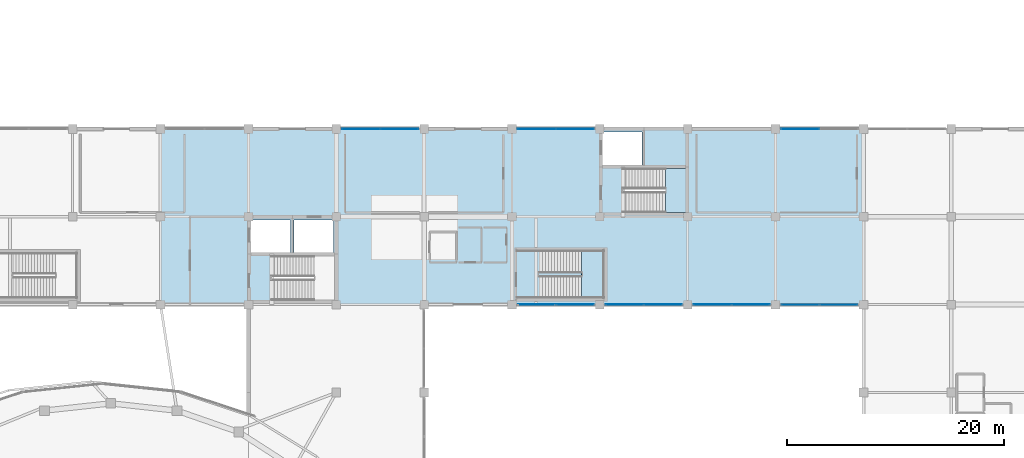
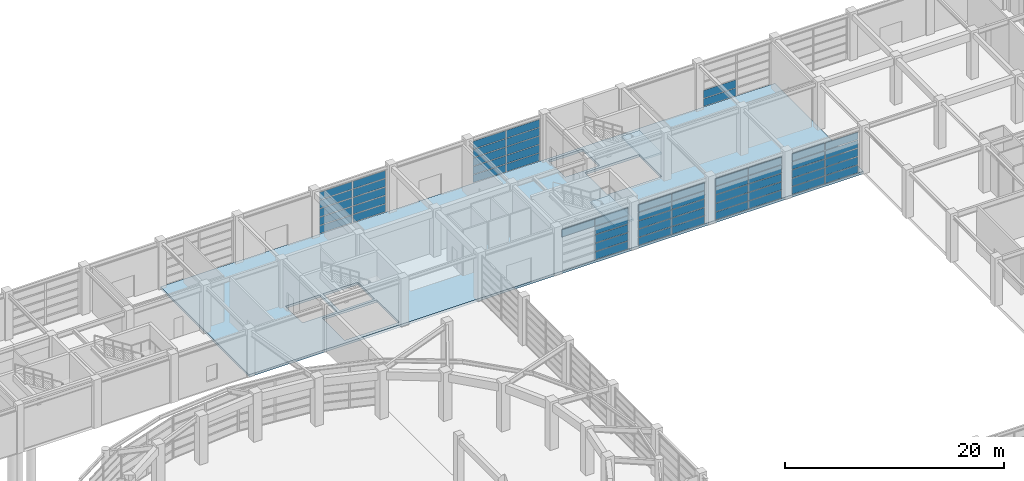
# One storey, part 33 of 52: 58 plates, 3 slabs, 9 elements without a shape of their own.
"""IFC4 building model written with IfcOpenShell, lengths in metres."""

from ifc_helpers import new_model, si_unit, direction, frame, origin, origin_2d, place, context, subcontext, project, spatial, polyline, rectangle, outline, extrude, material, layer, layer_set, type_object, element, aggregate, save


model = new_model("IFC4")

# Units and contexts
model_context = context("Model", 3, precision=1e-05, world=origin(), true_north=direction((0.0, 1.0)))
body_context = subcontext(model_context, "Body", "Model", "MODEL_VIEW")
ifc_project = project(units=[si_unit("LENGTHUNIT", "METRE"), si_unit("AREAUNIT", "SQUARE_METRE"), si_unit("VOLUMEUNIT", "CUBIC_METRE"), si_unit("PLANEANGLEUNIT", "RADIAN"), si_unit("MASSUNIT", "GRAM", prefix="KILO")], contexts=[model_context])

# Site, building, storey
site_placement = place(None, origin())
site = spatial("IfcSite", under=ifc_project, at=site_placement, CompositionType="ELEMENT")
building_placement = place(site_placement, origin())
building = spatial("IfcBuilding", under=site, at=building_placement, Name="Parian Resonance Hall", CompositionType="ELEMENT")
storey_placement = place(building_placement, origin())
storey = spatial("IfcBuildingStorey", under=building, at=storey_placement, Name="L00", CompositionType="ELEMENT", Elevation=0.0)

# Curtain wall, plates
ifc_material_1 = material(Name="Bronze-anodised aluminium frame", Category="aluminium")
curtain_wall_type_1 = type_object("IfcCurtainWallType", Name="CW-SYS-03", PredefinedType="NOTDEFINED", material=ifc_material_1)
curtain_wall_1_placement = place(storey_placement, origin())
curtain_wall_1 = element("IfcCurtainWall", 1, at=curtain_wall_1_placement, inside=storey, type_object=curtain_wall_type_1, Name="Curtain wall CW-L00-090", PredefinedType="NOTDEFINED")
ifc_material_2 = material(Name="Acoustic laminated double glazing", Category="glass")
ifc_layer_1 = layer(ifc_material_2, 0.02197265625)
ifc_layer_set_1 = layer_set([ifc_layer_1], Name="Acoustic laminated double glazing")
plate_type_1 = type_object("IfcPlateType", Name="CWP-IGU22", PredefinedType="CURTAIN_PANEL", material=ifc_layer_set_1)
plate_1_placement = place(storey_placement, frame((67.083740234375, 89.10009765625, 0.067138671875), z_axis=(0.0, 0.0, 1.0), x_axis=(1.0, 0.0, 0.0)))
plate_1 = element("IfcPlate", 2, at=plate_1_placement, type_object=plate_type_1, Name="CW-03 panel 1.1", PredefinedType="CURTAIN_PANEL", context=body_context, shape_type="SweptSolid", body=[
    extrude(rectangle(XDim=3.45751953125, YDim=0.02197265625, at=origin_2d()), origin(), (0.0, 0.0, 1.0), 0.8408203125),
])
plate_2_placement = place(storey_placement, frame((67.083740234375, 89.10009765625, 0.98291015625), z_axis=(0.0, 0.0, 1.0), x_axis=(1.0, 0.0, 0.0)))
plate_2 = element("IfcPlate", 3, at=plate_2_placement, type_object=plate_type_1, Name="CW-03 panel 1.2", PredefinedType="CURTAIN_PANEL", context=body_context, shape_type="SweptSolid", body=[
    extrude(rectangle(XDim=3.45751953125, YDim=0.02197265625, at=origin_2d()), origin(), (0.0, 0.0, 1.0), 0.870361328125),
])
plate_3_placement = place(storey_placement, frame((67.083740234375, 89.10009765625, 1.92822265625), z_axis=(0.0, 0.0, 1.0), x_axis=(1.0, 0.0, 0.0)))
plate_3 = element("IfcPlate", 4, at=plate_3_placement, type_object=plate_type_1, Name="CW-03 panel 1.3", PredefinedType="CURTAIN_PANEL", context=body_context, shape_type="SweptSolid", body=[
    extrude(rectangle(XDim=3.45751953125, YDim=0.02197265625, at=origin_2d()), origin(), (0.0, 0.0, 1.0), 0.870361328125),
])
plate_4_placement = place(storey_placement, frame((67.083740234375, 89.10009765625, 2.87353515625), z_axis=(0.0, 0.0, 1.0), x_axis=(1.0, 0.0, 0.0)))
plate_4 = element("IfcPlate", 5, at=plate_4_placement, type_object=plate_type_1, Name="CW-03 panel 1.4", PredefinedType="CURTAIN_PANEL", context=body_context, shape_type="SweptSolid", body=[
    extrude(rectangle(XDim=3.45751953125, YDim=0.02197265625, at=origin_2d()), origin(), (0.0, 0.0, 1.0), 0.870361328125),
])
plate_5_placement = place(storey_placement, frame((67.083740234375, 89.10009765625, 3.81884765625), z_axis=(0.0, 0.0, 1.0), x_axis=(1.0, 0.0, 0.0)))
plate_5 = element("IfcPlate", 6, at=plate_5_placement, type_object=plate_type_1, Name="CW-03 panel 1.5", PredefinedType="CURTAIN_PANEL", context=body_context, shape_type="SweptSolid", body=[
    extrude(rectangle(XDim=3.45751953125, YDim=0.02197265625, at=origin_2d()), origin(), (0.0, 0.0, 1.0), 0.843017578125),
])
plate_6_placement = place(storey_placement, frame((70.6162109375, 89.10009765625, 0.067138671875), z_axis=(0.0, 0.0, 1.0), x_axis=(1.0, 0.0, 0.0)))
plate_6 = element("IfcPlate", 7, at=plate_6_placement, type_object=plate_type_1, Name="CW-03 panel 2.1", PredefinedType="CURTAIN_PANEL", context=body_context, shape_type="SweptSolid", body=[
    extrude(rectangle(XDim=3.45751953125, YDim=0.02197265625, at=origin_2d()), origin(), (0.0, 0.0, 1.0), 0.8408203125),
])
plate_7_placement = place(storey_placement, frame((70.6162109375, 89.10009765625, 0.98291015625), z_axis=(0.0, 0.0, 1.0), x_axis=(1.0, 0.0, 0.0)))
plate_7 = element("IfcPlate", 8, at=plate_7_placement, type_object=plate_type_1, Name="CW-03 panel 2.2", PredefinedType="CURTAIN_PANEL", context=body_context, shape_type="SweptSolid", body=[
    extrude(rectangle(XDim=3.45751953125, YDim=0.02197265625, at=origin_2d()), origin(), (0.0, 0.0, 1.0), 0.870361328125),
])
plate_8_placement = place(storey_placement, frame((70.6162109375, 89.10009765625, 1.92822265625), z_axis=(0.0, 0.0, 1.0), x_axis=(1.0, 0.0, 0.0)))
plate_8 = element("IfcPlate", 9, at=plate_8_placement, type_object=plate_type_1, Name="CW-03 panel 2.3", PredefinedType="CURTAIN_PANEL", context=body_context, shape_type="SweptSolid", body=[
    extrude(rectangle(XDim=3.45751953125, YDim=0.02197265625, at=origin_2d()), origin(), (0.0, 0.0, 1.0), 0.870361328125),
])
plate_9_placement = place(storey_placement, frame((70.6162109375, 89.10009765625, 2.87353515625), z_axis=(0.0, 0.0, 1.0), x_axis=(1.0, 0.0, 0.0)))
plate_9 = element("IfcPlate", 10, at=plate_9_placement, type_object=plate_type_1, Name="CW-03 panel 2.4", PredefinedType="CURTAIN_PANEL", context=body_context, shape_type="SweptSolid", body=[
    extrude(rectangle(XDim=3.45751953125, YDim=0.02197265625, at=origin_2d()), origin(), (0.0, 0.0, 1.0), 0.870361328125),
])
plate_10_placement = place(storey_placement, frame((70.6162109375, 89.10009765625, 3.81884765625), z_axis=(0.0, 0.0, 1.0), x_axis=(1.0, 0.0, 0.0)))
plate_10 = element("IfcPlate", 11, at=plate_10_placement, type_object=plate_type_1, Name="CW-03 panel 2.5", PredefinedType="CURTAIN_PANEL", context=body_context, shape_type="SweptSolid", body=[
    extrude(rectangle(XDim=3.45751953125, YDim=0.02197265625, at=origin_2d()), origin(), (0.0, 0.0, 1.0), 0.843017578125),
])
aggregate(curtain_wall_1, [plate_1, plate_2, plate_3, plate_4, plate_5, plate_6, plate_7, plate_8, plate_9, plate_10])

ifc_material_3 = material(Name="Bronze-anodised aluminium frame", Category="aluminium")
curtain_wall_type_2 = type_object("IfcCurtainWallType", Name="CW-SYS-02", PredefinedType="NOTDEFINED", material=ifc_material_3)
curtain_wall_2_placement = place(storey_placement, origin())
curtain_wall_2 = element("IfcCurtainWall", 12, at=curtain_wall_2_placement, inside=storey, type_object=curtain_wall_type_2, Name="Curtain wall CW-L00-126", PredefinedType="NOTDEFINED")
plate_11_placement = place(storey_placement, frame((111.1162109375, 72.89990234375, 0.06689453125), z_axis=(0.0, 0.0, 1.0), x_axis=(-1.0, 0.0, 0.0)))
plate_11 = element("IfcPlate", 13, at=plate_11_placement, type_object=plate_type_1, Name="CW-02 panel 1.1", PredefinedType="CURTAIN_PANEL", context=body_context, shape_type="SweptSolid", body=[
    extrude(rectangle(XDim=3.45751953125, YDim=0.02197265625, at=origin_2d()), origin(), (0.0, 0.0, 1.0), 0.83056640625),
])
plate_12_placement = place(storey_placement, frame((111.1162109375, 72.89990234375, 0.97265625), z_axis=(0.0, 0.0, 1.0), x_axis=(-1.0, 0.0, 0.0)))
plate_12 = element("IfcPlate", 14, at=plate_12_placement, type_object=plate_type_1, Name="CW-02 panel 1.2", PredefinedType="CURTAIN_PANEL", context=body_context, shape_type="SweptSolid", body=[
    extrude(rectangle(XDim=3.45751953125, YDim=0.02197265625, at=origin_2d()), origin(), (0.0, 0.0, 1.0), 0.860107421875),
])
plate_13_placement = place(storey_placement, frame((111.1162109375, 72.89990234375, 1.9072265625), z_axis=(0.0, 0.0, 1.0), x_axis=(-1.0, 0.0, 0.0)))
plate_13 = element("IfcPlate", 15, at=plate_13_placement, type_object=plate_type_1, Name="CW-02 panel 1.3", PredefinedType="CURTAIN_PANEL", context=body_context, shape_type="SweptSolid", body=[
    extrude(rectangle(XDim=3.45751953125, YDim=0.02197265625, at=origin_2d()), origin(), (0.0, 0.0, 1.0), 0.860107421875),
])
plate_14_placement = place(storey_placement, frame((111.1162109375, 72.89990234375, 2.84228515625), z_axis=(0.0, 0.0, 1.0), x_axis=(-1.0, 0.0, 0.0)))
plate_14 = element("IfcPlate", 16, at=plate_14_placement, type_object=plate_type_1, Name="CW-02 panel 1.4", PredefinedType="CURTAIN_PANEL", context=body_context, shape_type="SweptSolid", body=[
    extrude(rectangle(XDim=3.45751953125, YDim=0.02197265625, at=origin_2d()), origin(), (0.0, 0.0, 1.0), 0.860107421875),
])
plate_15_placement = place(storey_placement, frame((111.1162109375, 72.89990234375, 3.777587890625), z_axis=(0.0, 0.0, 1.0), x_axis=(-1.0, 0.0, 0.0)))
plate_15 = element("IfcPlate", 17, at=plate_15_placement, type_object=plate_type_1, Name="CW-02 panel 1.5", PredefinedType="CURTAIN_PANEL", context=body_context, shape_type="SweptSolid", body=[
    extrude(rectangle(XDim=3.45751953125, YDim=0.02197265625, at=origin_2d()), origin(), (0.0, 0.0, 1.0), 0.83251953125),
])
plate_16_placement = place(storey_placement, frame((107.583740234375, 72.89990234375, 0.06689453125), z_axis=(0.0, 0.0, 1.0), x_axis=(-1.0, 0.0, 0.0)))
plate_16 = element("IfcPlate", 18, at=plate_16_placement, type_object=plate_type_1, Name="CW-02 panel 2.1", PredefinedType="CURTAIN_PANEL", context=body_context, shape_type="SweptSolid", body=[
    extrude(rectangle(XDim=3.45751953125, YDim=0.02197265625, at=origin_2d()), origin(), (0.0, 0.0, 1.0), 0.83056640625),
])
plate_17_placement = place(storey_placement, frame((107.583740234375, 72.89990234375, 0.97265625), z_axis=(0.0, 0.0, 1.0), x_axis=(-1.0, 0.0, 0.0)))
plate_17 = element("IfcPlate", 19, at=plate_17_placement, type_object=plate_type_1, Name="CW-02 panel 2.2", PredefinedType="CURTAIN_PANEL", context=body_context, shape_type="SweptSolid", body=[
    extrude(rectangle(XDim=3.45751953125, YDim=0.02197265625, at=origin_2d()), origin(), (0.0, 0.0, 1.0), 0.860107421875),
])
plate_18_placement = place(storey_placement, frame((107.583740234375, 72.89990234375, 1.9072265625), z_axis=(0.0, 0.0, 1.0), x_axis=(-1.0, 0.0, 0.0)))
plate_18 = element("IfcPlate", 20, at=plate_18_placement, type_object=plate_type_1, Name="CW-02 panel 2.3", PredefinedType="CURTAIN_PANEL", context=body_context, shape_type="SweptSolid", body=[
    extrude(rectangle(XDim=3.45751953125, YDim=0.02197265625, at=origin_2d()), origin(), (0.0, 0.0, 1.0), 0.860107421875),
])
plate_19_placement = place(storey_placement, frame((107.583740234375, 72.89990234375, 2.84228515625), z_axis=(0.0, 0.0, 1.0), x_axis=(-1.0, 0.0, 0.0)))
plate_19 = element("IfcPlate", 21, at=plate_19_placement, type_object=plate_type_1, Name="CW-02 panel 2.4", PredefinedType="CURTAIN_PANEL", context=body_context, shape_type="SweptSolid", body=[
    extrude(rectangle(XDim=3.45751953125, YDim=0.02197265625, at=origin_2d()), origin(), (0.0, 0.0, 1.0), 0.860107421875),
])
plate_20_placement = place(storey_placement, frame((107.583740234375, 72.89990234375, 3.777587890625), z_axis=(0.0, 0.0, 1.0), x_axis=(-1.0, 0.0, 0.0)))
plate_20 = element("IfcPlate", 22, at=plate_20_placement, type_object=plate_type_1, Name="CW-02 panel 2.5", PredefinedType="CURTAIN_PANEL", context=body_context, shape_type="SweptSolid", body=[
    extrude(rectangle(XDim=3.45751953125, YDim=0.02197265625, at=origin_2d()), origin(), (0.0, 0.0, 1.0), 0.83251953125),
])
aggregate(curtain_wall_2, [plate_11, plate_12, plate_13, plate_14, plate_15, plate_16, plate_17, plate_18, plate_19, plate_20])

ifc_material_4 = material(Name="Bronze-anodised aluminium frame", Category="aluminium")
curtain_wall_type_3 = type_object("IfcCurtainWallType", Name="CW-SYS-05", PredefinedType="NOTDEFINED", material=ifc_material_4)
curtain_wall_3_placement = place(storey_placement, origin())
curtain_wall_3 = element("IfcCurtainWall", 23, at=curtain_wall_3_placement, inside=storey, type_object=curtain_wall_type_3, Name="Curtain wall CW-L00-097", PredefinedType="NOTDEFINED")
ifc_material_5 = material(Name="Acoustic laminated double glazing", Category="glass")
ifc_layer_2 = layer(ifc_material_5, 0.031982421875)
ifc_layer_set_2 = layer_set([ifc_layer_2], Name="Acoustic laminated double glazing")
plate_type_2 = type_object("IfcPlateType", Name="CWP-IGU32", PredefinedType="CURTAIN_PANEL", material=ifc_layer_set_2)
plate_21_placement = place(storey_placement, frame((83.28125, 89.10009765625, 0.056884765625), z_axis=(0.0, 0.0, 1.0), x_axis=(1.0, 0.0, 0.0)))
plate_21 = element("IfcPlate", 24, at=plate_21_placement, type_object=plate_type_2, Name="CW-05 panel 1.1", PredefinedType="CURTAIN_PANEL", context=body_context, shape_type="SweptSolid", body=[
    extrude(rectangle(XDim=3.472412109375, YDim=0.031982421875, at=origin_2d()), origin(), (0.0, 0.0, 1.0), 0.85595703125),
])
plate_22_placement = place(storey_placement, frame((83.28125, 89.10009765625, 0.97802734375), z_axis=(0.0, 0.0, 1.0), x_axis=(1.0, 0.0, 0.0)))
plate_22 = element("IfcPlate", 25, at=plate_22_placement, type_object=plate_type_2, Name="CW-05 panel 1.2", PredefinedType="CURTAIN_PANEL", context=body_context, shape_type="SweptSolid", body=[
    extrude(rectangle(XDim=3.472412109375, YDim=0.031982421875, at=origin_2d()), origin(), (0.0, 0.0, 1.0), 0.88037109375),
])
plate_23_placement = place(storey_placement, frame((83.28125, 89.10009765625, 1.92333984375), z_axis=(0.0, 0.0, 1.0), x_axis=(1.0, 0.0, 0.0)))
plate_23 = element("IfcPlate", 26, at=plate_23_placement, type_object=plate_type_2, Name="CW-05 panel 1.3", PredefinedType="CURTAIN_PANEL", context=body_context, shape_type="SweptSolid", body=[
    extrude(rectangle(XDim=3.472412109375, YDim=0.031982421875, at=origin_2d()), origin(), (0.0, 0.0, 1.0), 0.88037109375),
])
plate_24_placement = place(storey_placement, frame((83.28125, 89.10009765625, 2.86865234375), z_axis=(0.0, 0.0, 1.0), x_axis=(1.0, 0.0, 0.0)))
plate_24 = element("IfcPlate", 27, at=plate_24_placement, type_object=plate_type_2, Name="CW-05 panel 1.4", PredefinedType="CURTAIN_PANEL", context=body_context, shape_type="SweptSolid", body=[
    extrude(rectangle(XDim=3.472412109375, YDim=0.031982421875, at=origin_2d()), origin(), (0.0, 0.0, 1.0), 0.88037109375),
])
plate_25_placement = place(storey_placement, frame((83.28125, 89.10009765625, 3.814208984375), z_axis=(0.0, 0.0, 1.0), x_axis=(1.0, 0.0, 0.0)))
plate_25 = element("IfcPlate", 28, at=plate_25_placement, type_object=plate_type_2, Name="CW-05 panel 1.5", PredefinedType="CURTAIN_PANEL", context=body_context, shape_type="SweptSolid", body=[
    extrude(rectangle(XDim=3.472412109375, YDim=0.031982421875, at=origin_2d()), origin(), (0.0, 0.0, 1.0), 0.85791015625),
])
plate_26_placement = place(storey_placement, frame((86.81884765625, 89.10009765625, 0.056884765625), z_axis=(0.0, 0.0, 1.0), x_axis=(1.0, 0.0, 0.0)))
plate_26 = element("IfcPlate", 29, at=plate_26_placement, type_object=plate_type_2, Name="CW-05 panel 2.1", PredefinedType="CURTAIN_PANEL", context=body_context, shape_type="SweptSolid", body=[
    extrude(rectangle(XDim=3.472412109375, YDim=0.031982421875, at=origin_2d()), origin(), (0.0, 0.0, 1.0), 0.85595703125),
])
plate_27_placement = place(storey_placement, frame((86.81884765625, 89.10009765625, 0.97802734375), z_axis=(0.0, 0.0, 1.0), x_axis=(1.0, 0.0, 0.0)))
plate_27 = element("IfcPlate", 30, at=plate_27_placement, type_object=plate_type_2, Name="CW-05 panel 2.2", PredefinedType="CURTAIN_PANEL", context=body_context, shape_type="SweptSolid", body=[
    extrude(rectangle(XDim=3.472412109375, YDim=0.031982421875, at=origin_2d()), origin(), (0.0, 0.0, 1.0), 0.88037109375),
])
plate_28_placement = place(storey_placement, frame((86.81884765625, 89.10009765625, 1.92333984375), z_axis=(0.0, 0.0, 1.0), x_axis=(1.0, 0.0, 0.0)))
plate_28 = element("IfcPlate", 31, at=plate_28_placement, type_object=plate_type_2, Name="CW-05 panel 2.3", PredefinedType="CURTAIN_PANEL", context=body_context, shape_type="SweptSolid", body=[
    extrude(rectangle(XDim=3.472412109375, YDim=0.031982421875, at=origin_2d()), origin(), (0.0, 0.0, 1.0), 0.88037109375),
])
plate_29_placement = place(storey_placement, frame((86.81884765625, 89.10009765625, 2.86865234375), z_axis=(0.0, 0.0, 1.0), x_axis=(1.0, 0.0, 0.0)))
plate_29 = element("IfcPlate", 32, at=plate_29_placement, type_object=plate_type_2, Name="CW-05 panel 2.4", PredefinedType="CURTAIN_PANEL", context=body_context, shape_type="SweptSolid", body=[
    extrude(rectangle(XDim=3.472412109375, YDim=0.031982421875, at=origin_2d()), origin(), (0.0, 0.0, 1.0), 0.88037109375),
])
plate_30_placement = place(storey_placement, frame((86.81884765625, 89.10009765625, 3.814208984375), z_axis=(0.0, 0.0, 1.0), x_axis=(1.0, 0.0, 0.0)))
plate_30 = element("IfcPlate", 33, at=plate_30_placement, type_object=plate_type_2, Name="CW-05 panel 2.5", PredefinedType="CURTAIN_PANEL", context=body_context, shape_type="SweptSolid", body=[
    extrude(rectangle(XDim=3.472412109375, YDim=0.031982421875, at=origin_2d()), origin(), (0.0, 0.0, 1.0), 0.85791015625),
])
aggregate(curtain_wall_3, [plate_21, plate_22, plate_23, plate_24, plate_25, plate_26, plate_27, plate_28, plate_29, plate_30])

curtain_wall_4_placement = place(storey_placement, origin())
curtain_wall_4 = element("IfcCurtainWall", 34, at=curtain_wall_4_placement, inside=storey, type_object=curtain_wall_type_2, Name="Curtain wall CW-L00-103", PredefinedType="NOTDEFINED")
plate_31_placement = place(storey_placement, frame((107.581298828125, 89.10009765625, 0.05712890625), z_axis=(0.0, 0.0, 1.0), x_axis=(1.0, 0.0, 0.0)))
plate_31 = element("IfcPlate", 35, at=plate_31_placement, type_object=plate_type_2, Name="CW-02 panel 1.1", PredefinedType="CURTAIN_PANEL", context=body_context, shape_type="SweptSolid", body=[
    extrude(rectangle(XDim=3.472412109375, YDim=0.031982421875, at=origin_2d()), origin(), (0.0, 0.0, 1.0), 0.845458984375),
])
plate_32_placement = place(storey_placement, frame((107.581298828125, 89.10009765625, 0.967529296875), z_axis=(0.0, 0.0, 1.0), x_axis=(1.0, 0.0, 0.0)))
plate_32 = element("IfcPlate", 36, at=plate_32_placement, type_object=plate_type_2, Name="CW-02 panel 1.2", PredefinedType="CURTAIN_PANEL", context=body_context, shape_type="SweptSolid", body=[
    extrude(rectangle(XDim=3.472412109375, YDim=0.031982421875, at=origin_2d()), origin(), (0.0, 0.0, 1.0), 0.8701171875),
])
aggregate(curtain_wall_4, [plate_31, plate_32])

curtain_wall_5_placement = place(storey_placement, origin())
curtain_wall_5 = element("IfcCurtainWall", 37, at=curtain_wall_5_placement, inside=storey, type_object=curtain_wall_type_3, Name="Curtain wall CW-L00-110", PredefinedType="NOTDEFINED")
ifc_material_6 = material(Name="Acoustic laminated double glazing", Category="glass")
ifc_layer_3 = layer(ifc_material_6, 0.0419921875)
ifc_layer_set_3 = layer_set([ifc_layer_3], Name="Acoustic laminated double glazing")
plate_type_3 = type_object("IfcPlateType", Name="CWP-IGU42", PredefinedType="CURTAIN_PANEL", material=ifc_layer_set_3)
plate_33_placement = place(storey_placement, frame((86.816162109375, 72.89990234375, 0.067138671875), z_axis=(0.0, 0.0, 1.0), x_axis=(-1.0, 0.0, 0.0)))
plate_33 = element("IfcPlate", 38, at=plate_33_placement, type_object=plate_type_3, Name="CW-05 panel 1.1", PredefinedType="CURTAIN_PANEL", context=body_context, shape_type="SweptSolid", body=[
    extrude(rectangle(XDim=3.45751953125, YDim=0.0419921875, at=origin_2d()), origin(), (0.0, 0.0, 1.0), 0.8408203125),
])
plate_34_placement = place(storey_placement, frame((86.816162109375, 72.89990234375, 0.98291015625), z_axis=(0.0, 0.0, 1.0), x_axis=(-1.0, 0.0, 0.0)))
plate_34 = element("IfcPlate", 39, at=plate_34_placement, type_object=plate_type_3, Name="CW-05 panel 1.2", PredefinedType="CURTAIN_PANEL", context=body_context, shape_type="SweptSolid", body=[
    extrude(rectangle(XDim=3.45751953125, YDim=0.0419921875, at=origin_2d()), origin(), (0.0, 0.0, 1.0), 0.870361328125),
])
plate_35_placement = place(storey_placement, frame((86.816162109375, 72.89990234375, 1.92822265625), z_axis=(0.0, 0.0, 1.0), x_axis=(-1.0, 0.0, 0.0)))
plate_35 = element("IfcPlate", 40, at=plate_35_placement, type_object=plate_type_3, Name="CW-05 panel 1.3", PredefinedType="CURTAIN_PANEL", context=body_context, shape_type="SweptSolid", body=[
    extrude(rectangle(XDim=3.45751953125, YDim=0.0419921875, at=origin_2d()), origin(), (0.0, 0.0, 1.0), 0.870361328125),
])
plate_36_placement = place(storey_placement, frame((86.816162109375, 72.89990234375, 2.87353515625), z_axis=(0.0, 0.0, 1.0), x_axis=(-1.0, 0.0, 0.0)))
plate_36 = element("IfcPlate", 41, at=plate_36_placement, type_object=plate_type_3, Name="CW-05 panel 1.4", PredefinedType="CURTAIN_PANEL", context=body_context, shape_type="SweptSolid", body=[
    extrude(rectangle(XDim=3.45751953125, YDim=0.0419921875, at=origin_2d()), origin(), (0.0, 0.0, 1.0), 0.870361328125),
])
plate_37_placement = place(storey_placement, frame((86.816162109375, 72.89990234375, 3.81884765625), z_axis=(0.0, 0.0, 1.0), x_axis=(-1.0, 0.0, 0.0)))
plate_37 = element("IfcPlate", 42, at=plate_37_placement, type_object=plate_type_3, Name="CW-05 panel 1.5", PredefinedType="CURTAIN_PANEL", context=body_context, shape_type="SweptSolid", body=[
    extrude(rectangle(XDim=3.45751953125, YDim=0.0419921875, at=origin_2d()), origin(), (0.0, 0.0, 1.0), 0.843017578125),
])
plate_38_placement = place(storey_placement, frame((83.28369140625, 72.89990234375, 3.81884765625), z_axis=(0.0, 0.0, 1.0), x_axis=(-1.0, 0.0, 0.0)))
plate_38 = element("IfcPlate", 43, at=plate_38_placement, type_object=plate_type_3, Name="CW-05 panel 2.5", PredefinedType="CURTAIN_PANEL", context=body_context, shape_type="SweptSolid", body=[
    extrude(rectangle(XDim=3.45751953125, YDim=0.0419921875, at=origin_2d()), origin(), (0.0, 0.0, 1.0), 0.843017578125),
])
aggregate(curtain_wall_5, [plate_33, plate_34, plate_35, plate_36, plate_37, plate_38])

ifc_material_7 = material(Name="Bronze-anodised aluminium frame", Category="aluminium")
curtain_wall_type_4 = type_object("IfcCurtainWallType", Name="CW-SYS-06", PredefinedType="NOTDEFINED", material=ifc_material_7)
curtain_wall_6_placement = place(storey_placement, origin())
curtain_wall_6 = element("IfcCurtainWall", 44, at=curtain_wall_6_placement, inside=storey, type_object=curtain_wall_type_4, Name="Curtain wall CW-L00-116", PredefinedType="NOTDEFINED")
plate_39_placement = place(storey_placement, frame((94.916259765625, 72.89990234375, 0.06689453125), z_axis=(0.0, 0.0, 1.0), x_axis=(-1.0, 0.0, 0.0)))
plate_39 = element("IfcPlate", 45, at=plate_39_placement, type_object=plate_type_3, Name="CW-06 panel 1.1", PredefinedType="CURTAIN_PANEL", context=body_context, shape_type="SweptSolid", body=[
    extrude(rectangle(XDim=3.45751953125, YDim=0.0419921875, at=origin_2d()), origin(), (0.0, 0.0, 1.0), 0.83056640625),
])
plate_40_placement = place(storey_placement, frame((94.916259765625, 72.89990234375, 0.97265625), z_axis=(0.0, 0.0, 1.0), x_axis=(-1.0, 0.0, 0.0)))
plate_40 = element("IfcPlate", 46, at=plate_40_placement, type_object=plate_type_3, Name="CW-06 panel 1.2", PredefinedType="CURTAIN_PANEL", context=body_context, shape_type="SweptSolid", body=[
    extrude(rectangle(XDim=3.45751953125, YDim=0.0419921875, at=origin_2d()), origin(), (0.0, 0.0, 1.0), 0.860107421875),
])
plate_41_placement = place(storey_placement, frame((94.916259765625, 72.89990234375, 1.9072265625), z_axis=(0.0, 0.0, 1.0), x_axis=(-1.0, 0.0, 0.0)))
plate_41 = element("IfcPlate", 47, at=plate_41_placement, type_object=plate_type_3, Name="CW-06 panel 1.3", PredefinedType="CURTAIN_PANEL", context=body_context, shape_type="SweptSolid", body=[
    extrude(rectangle(XDim=3.45751953125, YDim=0.0419921875, at=origin_2d()), origin(), (0.0, 0.0, 1.0), 0.860107421875),
])
plate_42_placement = place(storey_placement, frame((94.916259765625, 72.89990234375, 2.84228515625), z_axis=(0.0, 0.0, 1.0), x_axis=(-1.0, 0.0, 0.0)))
plate_42 = element("IfcPlate", 48, at=plate_42_placement, type_object=plate_type_3, Name="CW-06 panel 1.4", PredefinedType="CURTAIN_PANEL", context=body_context, shape_type="SweptSolid", body=[
    extrude(rectangle(XDim=3.45751953125, YDim=0.0419921875, at=origin_2d()), origin(), (0.0, 0.0, 1.0), 0.860107421875),
])
plate_43_placement = place(storey_placement, frame((94.916259765625, 72.89990234375, 3.777587890625), z_axis=(0.0, 0.0, 1.0), x_axis=(-1.0, 0.0, 0.0)))
plate_43 = element("IfcPlate", 49, at=plate_43_placement, type_object=plate_type_3, Name="CW-06 panel 1.5", PredefinedType="CURTAIN_PANEL", context=body_context, shape_type="SweptSolid", body=[
    extrude(rectangle(XDim=3.45751953125, YDim=0.0419921875, at=origin_2d()), origin(), (0.0, 0.0, 1.0), 0.83251953125),
])
plate_44_placement = place(storey_placement, frame((91.3837890625, 72.89990234375, 0.06689453125), z_axis=(0.0, 0.0, 1.0), x_axis=(-1.0, 0.0, 0.0)))
plate_44 = element("IfcPlate", 50, at=plate_44_placement, type_object=plate_type_3, Name="CW-06 panel 2.1", PredefinedType="CURTAIN_PANEL", context=body_context, shape_type="SweptSolid", body=[
    extrude(rectangle(XDim=3.45751953125, YDim=0.0419921875, at=origin_2d()), origin(), (0.0, 0.0, 1.0), 0.83056640625),
])
plate_45_placement = place(storey_placement, frame((91.3837890625, 72.89990234375, 0.97265625), z_axis=(0.0, 0.0, 1.0), x_axis=(-1.0, 0.0, 0.0)))
plate_45 = element("IfcPlate", 51, at=plate_45_placement, type_object=plate_type_3, Name="CW-06 panel 2.2", PredefinedType="CURTAIN_PANEL", context=body_context, shape_type="SweptSolid", body=[
    extrude(rectangle(XDim=3.45751953125, YDim=0.0419921875, at=origin_2d()), origin(), (0.0, 0.0, 1.0), 0.860107421875),
])
plate_46_placement = place(storey_placement, frame((91.3837890625, 72.89990234375, 1.9072265625), z_axis=(0.0, 0.0, 1.0), x_axis=(-1.0, 0.0, 0.0)))
plate_46 = element("IfcPlate", 52, at=plate_46_placement, type_object=plate_type_3, Name="CW-06 panel 2.3", PredefinedType="CURTAIN_PANEL", context=body_context, shape_type="SweptSolid", body=[
    extrude(rectangle(XDim=3.45751953125, YDim=0.0419921875, at=origin_2d()), origin(), (0.0, 0.0, 1.0), 0.860107421875),
])
plate_47_placement = place(storey_placement, frame((91.3837890625, 72.89990234375, 2.84228515625), z_axis=(0.0, 0.0, 1.0), x_axis=(-1.0, 0.0, 0.0)))
plate_47 = element("IfcPlate", 53, at=plate_47_placement, type_object=plate_type_3, Name="CW-06 panel 2.4", PredefinedType="CURTAIN_PANEL", context=body_context, shape_type="SweptSolid", body=[
    extrude(rectangle(XDim=3.45751953125, YDim=0.0419921875, at=origin_2d()), origin(), (0.0, 0.0, 1.0), 0.860107421875),
])
plate_48_placement = place(storey_placement, frame((91.3837890625, 72.89990234375, 3.777587890625), z_axis=(0.0, 0.0, 1.0), x_axis=(-1.0, 0.0, 0.0)))
plate_48 = element("IfcPlate", 54, at=plate_48_placement, type_object=plate_type_3, Name="CW-06 panel 2.5", PredefinedType="CURTAIN_PANEL", context=body_context, shape_type="SweptSolid", body=[
    extrude(rectangle(XDim=3.45751953125, YDim=0.0419921875, at=origin_2d()), origin(), (0.0, 0.0, 1.0), 0.83251953125),
])
aggregate(curtain_wall_6, [plate_39, plate_40, plate_41, plate_42, plate_43, plate_44, plate_45, plate_46, plate_47, plate_48])

ifc_material_8 = material(Name="Bronze-anodised aluminium frame", Category="aluminium")
curtain_wall_type_5 = type_object("IfcCurtainWallType", Name="CW-SYS-01", PredefinedType="NOTDEFINED", material=ifc_material_8)
curtain_wall_7_placement = place(storey_placement, origin())
curtain_wall_7 = element("IfcCurtainWall", 55, at=curtain_wall_7_placement, inside=storey, type_object=curtain_wall_type_5, Name="Curtain wall CW-L00-122", PredefinedType="NOTDEFINED")
plate_49_placement = place(storey_placement, frame((103.016357421875, 72.89990234375, 0.067138671875), z_axis=(0.0, 0.0, 1.0), x_axis=(-1.0, 0.0, 0.0)))
plate_49 = element("IfcPlate", 56, at=plate_49_placement, type_object=plate_type_3, Name="CW-01 panel 1.1", PredefinedType="CURTAIN_PANEL", context=body_context, shape_type="SweptSolid", body=[
    extrude(rectangle(XDim=3.45751953125, YDim=0.0419921875, at=origin_2d()), origin(), (0.0, 0.0, 1.0), 0.8408203125),
])
plate_50_placement = place(storey_placement, frame((103.016357421875, 72.89990234375, 0.98291015625), z_axis=(0.0, 0.0, 1.0), x_axis=(-1.0, 0.0, 0.0)))
plate_50 = element("IfcPlate", 57, at=plate_50_placement, type_object=plate_type_3, Name="CW-01 panel 1.2", PredefinedType="CURTAIN_PANEL", context=body_context, shape_type="SweptSolid", body=[
    extrude(rectangle(XDim=3.45751953125, YDim=0.0419921875, at=origin_2d()), origin(), (0.0, 0.0, 1.0), 0.870361328125),
])
plate_51_placement = place(storey_placement, frame((103.016357421875, 72.89990234375, 1.92822265625), z_axis=(0.0, 0.0, 1.0), x_axis=(-1.0, 0.0, 0.0)))
plate_51 = element("IfcPlate", 58, at=plate_51_placement, type_object=plate_type_3, Name="CW-01 panel 1.3", PredefinedType="CURTAIN_PANEL", context=body_context, shape_type="SweptSolid", body=[
    extrude(rectangle(XDim=3.45751953125, YDim=0.0419921875, at=origin_2d()), origin(), (0.0, 0.0, 1.0), 0.870361328125),
])
plate_52_placement = place(storey_placement, frame((103.016357421875, 72.89990234375, 2.87353515625), z_axis=(0.0, 0.0, 1.0), x_axis=(-1.0, 0.0, 0.0)))
plate_52 = element("IfcPlate", 59, at=plate_52_placement, type_object=plate_type_3, Name="CW-01 panel 1.4", PredefinedType="CURTAIN_PANEL", context=body_context, shape_type="SweptSolid", body=[
    extrude(rectangle(XDim=3.45751953125, YDim=0.0419921875, at=origin_2d()), origin(), (0.0, 0.0, 1.0), 0.870361328125),
])
plate_53_placement = place(storey_placement, frame((103.016357421875, 72.89990234375, 3.81884765625), z_axis=(0.0, 0.0, 1.0), x_axis=(-1.0, 0.0, 0.0)))
plate_53 = element("IfcPlate", 60, at=plate_53_placement, type_object=plate_type_3, Name="CW-01 panel 1.5", PredefinedType="CURTAIN_PANEL", context=body_context, shape_type="SweptSolid", body=[
    extrude(rectangle(XDim=3.45751953125, YDim=0.0419921875, at=origin_2d()), origin(), (0.0, 0.0, 1.0), 0.843017578125),
])
plate_54_placement = place(storey_placement, frame((99.483642578125, 72.89990234375, 0.067138671875), z_axis=(0.0, 0.0, 1.0), x_axis=(-1.0, 0.0, 0.0)))
plate_54 = element("IfcPlate", 61, at=plate_54_placement, type_object=plate_type_3, Name="CW-01 panel 2.1", PredefinedType="CURTAIN_PANEL", context=body_context, shape_type="SweptSolid", body=[
    extrude(rectangle(XDim=3.45751953125, YDim=0.0419921875, at=origin_2d()), origin(), (0.0, 0.0, 1.0), 0.8408203125),
])
plate_55_placement = place(storey_placement, frame((99.483642578125, 72.89990234375, 0.98291015625), z_axis=(0.0, 0.0, 1.0), x_axis=(-1.0, 0.0, 0.0)))
plate_55 = element("IfcPlate", 62, at=plate_55_placement, type_object=plate_type_3, Name="CW-01 panel 2.2", PredefinedType="CURTAIN_PANEL", context=body_context, shape_type="SweptSolid", body=[
    extrude(rectangle(XDim=3.45751953125, YDim=0.0419921875, at=origin_2d()), origin(), (0.0, 0.0, 1.0), 0.870361328125),
])
plate_56_placement = place(storey_placement, frame((99.483642578125, 72.89990234375, 1.92822265625), z_axis=(0.0, 0.0, 1.0), x_axis=(-1.0, 0.0, 0.0)))
plate_56 = element("IfcPlate", 63, at=plate_56_placement, type_object=plate_type_3, Name="CW-01 panel 2.3", PredefinedType="CURTAIN_PANEL", context=body_context, shape_type="SweptSolid", body=[
    extrude(rectangle(XDim=3.45751953125, YDim=0.0419921875, at=origin_2d()), origin(), (0.0, 0.0, 1.0), 0.870361328125),
])
plate_57_placement = place(storey_placement, frame((99.483642578125, 72.89990234375, 2.87353515625), z_axis=(0.0, 0.0, 1.0), x_axis=(-1.0, 0.0, 0.0)))
plate_57 = element("IfcPlate", 64, at=plate_57_placement, type_object=plate_type_3, Name="CW-01 panel 2.4", PredefinedType="CURTAIN_PANEL", context=body_context, shape_type="SweptSolid", body=[
    extrude(rectangle(XDim=3.45751953125, YDim=0.0419921875, at=origin_2d()), origin(), (0.0, 0.0, 1.0), 0.870361328125),
])
plate_58_placement = place(storey_placement, frame((99.483642578125, 72.89990234375, 3.81884765625), z_axis=(0.0, 0.0, 1.0), x_axis=(-1.0, 0.0, 0.0)))
plate_58 = element("IfcPlate", 65, at=plate_58_placement, type_object=plate_type_3, Name="CW-01 panel 2.5", PredefinedType="CURTAIN_PANEL", context=body_context, shape_type="SweptSolid", body=[
    extrude(rectangle(XDim=3.45751953125, YDim=0.0419921875, at=origin_2d()), origin(), (0.0, 0.0, 1.0), 0.843017578125),
])
aggregate(curtain_wall_7, [plate_49, plate_50, plate_51, plate_52, plate_53, plate_54, plate_55, plate_56, plate_57, plate_58])

# Slab
ifc_material_9 = material(Name="Concrete C35/45", Category="concrete")
ifc_layer_4 = layer(ifc_material_9, 0.27001953125)
ifc_layer_set_4 = layer_set([ifc_layer_4], Name="Concrete C35/45")
slab_type_1 = type_object("IfcSlabType", Name="SLB-FLR-270", PredefinedType="FLOOR", material=ifc_layer_set_4)
slab_1_placement = place(storey_placement, frame((0.0, 0.0, -0.27001953125)))
element("IfcSlab", 66, at=slab_1_placement, inside=storey, type_object=slab_type_1, Name="Cloister north suspended floor slab", PredefinedType="FLOOR", context=body_context, shape_type="SweptSolid", body=[
    extrude(outline(polyline([(48.60009765625, 72.89990234375), (113.39990234375, 72.89990234375), (113.39990234375, 89.10009765625), (48.60009765625, 89.10009765625), (48.60009765625, 72.89990234375)]), holes=[polyline([(64.659912109375, 77.39990234375), (64.659912109375, 73.300048828125), (58.89501953125, 73.300048828125), (58.89501953125, 77.39990234375), (64.659912109375, 77.39990234375)]), polyline([(60.60009765625, 80.699951171875), (60.60009765625, 77.64990234375), (56.93994140625, 77.64990234375), (56.93994140625, 80.699951171875), (60.60009765625, 80.699951171875)]), polyline([(64.56005859375, 80.699951171875), (64.56005859375, 77.64990234375), (60.89990234375, 77.64990234375), (60.89990234375, 80.699951171875), (64.56005859375, 80.699951171875)]), polyline([(97.02001953125, 81.39990234375), (91.27490234375, 81.39990234375), (91.27490234375, 85.4599609375), (97.02001953125, 85.4599609375), (97.02001953125, 81.39990234375)]), polyline([(93.0, 85.75), (89.340087890625, 85.75), (89.340087890625, 88.800048828125), (93.0, 88.800048828125), (93.0, 85.75)])]), origin(), (0.0, 0.0, 1.0), 0.27001953125),
])

# Stair, slab
ifc_material_10 = material(Name="Concrete C40/50", Category="concrete")
stair_type_1 = type_object("IfcStairType", Name="STAIR-FOYER-1650", PredefinedType="HALF_TURN_STAIR", material=ifc_material_10)
stair_1_placement = place(storey_placement, origin())
stair_1 = element("IfcStair", 67, at=stair_1_placement, inside=storey, type_object=stair_type_1, Name="L00 ST-08", PredefinedType="HALF_TURN_STAIR")
ifc_material_11 = material(Name="Concrete C40/50", Category="concrete")
ifc_layer_5 = layer(ifc_material_11, 0.179931640625)
ifc_layer_set_5 = layer_set([ifc_layer_5], Name="Concrete C40/50")
slab_type_2 = type_object("IfcSlabType", Name="SLB-LANDING-180", PredefinedType="LANDING", material=ifc_layer_set_5)
slab_2_placement = place(storey_placement, frame((0.0, 0.0, 2.5)))
slab_2 = element("IfcSlab", 68, at=slab_2_placement, type_object=slab_type_2, Name="ST-08 landing 1", PredefinedType="LANDING", context=body_context, shape_type="SweptSolid", body=[
    extrude(outline(polyline([(87.429931640625, 73.5), (89.489990234375, 73.5), (89.489990234375, 77.8798828125), (87.429931640625, 77.8798828125), (87.429931640625, 73.5)])), origin(), (0.0, 0.0, 1.0), 0.199951171875),
])
aggregate(stair_1, [slab_2])

ifc_material_12 = material(Name="Concrete C40/50", Category="concrete")
stair_type_2 = type_object("IfcStairType", Name="STAIR-CORE-1800", PredefinedType="HALF_TURN_STAIR", material=ifc_material_12)
stair_2_placement = place(storey_placement, origin())
stair_2 = element("IfcStair", 69, at=stair_2_placement, inside=storey, type_object=stair_type_2, Name="L00 ST-05", PredefinedType="HALF_TURN_STAIR")
ifc_material_13 = material(Name="Concrete C40/50", Category="concrete")
ifc_layer_6 = layer(ifc_material_13, 0.199951171875)
ifc_layer_set_6 = layer_set([ifc_layer_6], Name="Concrete C40/50")
slab_type_3 = type_object("IfcSlabType", Name="SLB-LANDING-200", PredefinedType="LANDING", material=ifc_layer_set_6)
slab_3_placement = place(storey_placement, frame((0.0, 0.0, 2.5)))
slab_3 = element("IfcSlab", 70, at=slab_3_placement, type_object=slab_type_3, Name="ST-05 landing 1", PredefinedType="LANDING", context=body_context, shape_type="SweptSolid", body=[
    extrude(outline(polyline([(95.139892578125, 81.39990234375), (97.02001953125, 81.39990234375), (97.02001953125, 85.4599609375), (95.139892578125, 85.4599609375), (95.139892578125, 81.39990234375)])), origin(), (0.0, 0.0, 1.0), 0.199951171875),
])
aggregate(stair_2, [slab_3])

save(model, "model.ifc")
